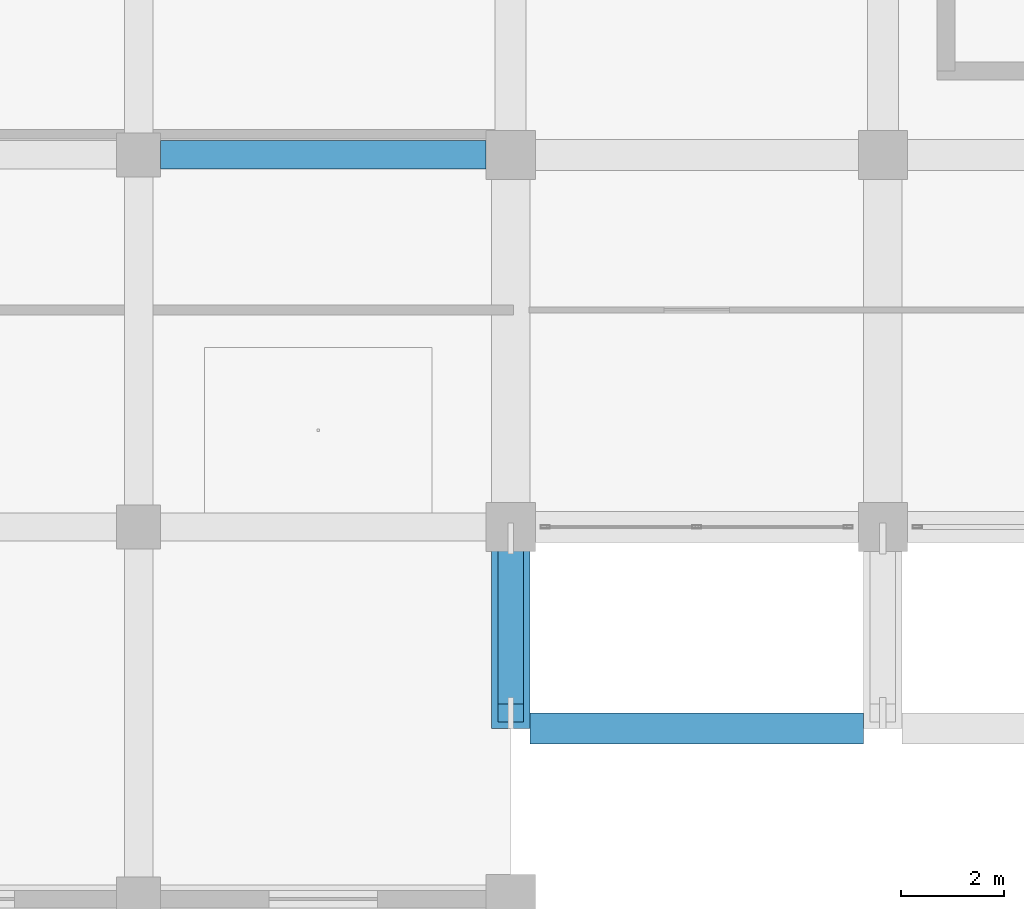
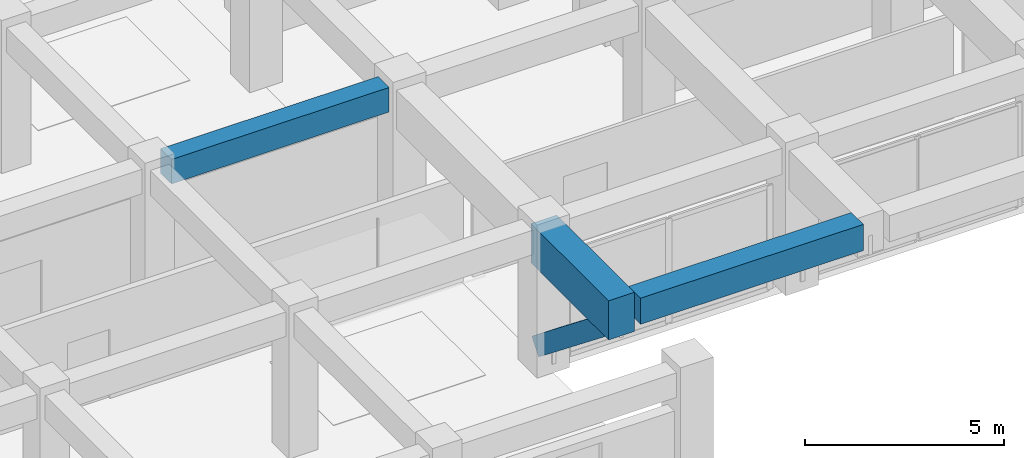
# One storey, part 2 of 54: 3 beams, 1 member.
"""IFC4 building model written with IfcOpenShell, lengths in metres."""

from ifc_helpers import new_model, si_unit, direction, frame, origin, origin_2d, place, context, subcontext, project, spatial, rectangle, extrude, material, material_profile, profile_set, type_object, element, save


model = new_model("IFC4")

# Units and contexts
model_context = context("Model", 3, precision=1e-05, world=origin(), true_north=direction((0.0, 1.0)))
body_context = subcontext(model_context, "Body", "Model", "MODEL_VIEW")
ifc_project = project(units=[si_unit("LENGTHUNIT", "METRE"), si_unit("AREAUNIT", "SQUARE_METRE"), si_unit("VOLUMEUNIT", "CUBIC_METRE"), si_unit("PLANEANGLEUNIT", "RADIAN"), si_unit("MASSUNIT", "GRAM", prefix="KILO")], contexts=[model_context])

# Site, building, storey
site_placement = place(None, origin())
site = spatial("IfcSite", under=ifc_project, at=site_placement, CompositionType="ELEMENT")
building_placement = place(site_placement, origin())
building = spatial("IfcBuilding", under=site, at=building_placement, Name="Kazehaya Institute of Natural Sciences", CompositionType="ELEMENT")
storey_placement = place(building_placement, frame((0.0, 0.0, 10.43994140625)))
storey = spatial("IfcBuildingStorey", under=building, at=storey_placement, Name="L02", CompositionType="ELEMENT", Elevation=10.43994140625)

# Beams
ifc_material_1 = material(Name="Concrete Fc36", Category="concrete")
ifc_material_profile_1 = material_profile(ifc_material_1, rectangle(XDim=0.550048828125, YDim=0.75, at=origin_2d()), Name="RC-550x750")
ifc_profile_set_1 = profile_set([ifc_material_profile_1], Name="Concrete Fc36")
beam_type_1 = type_object("IfcBeamType", Name="BM-G-550x750", PredefinedType="BEAM", material=ifc_profile_set_1)
beam_1_placement = place(storey_placement, frame((47.824951171875, 21.199951171875, 4.03515625), z_axis=(1.0, 0.0, 0.0), x_axis=(0.0, 1.0, 0.0)))
element("IfcBeam", 1, at=beam_1_placement, inside=storey, type_object=beam_type_1, Name="L02 primary X girder BMX-L02-474-212", PredefinedType="BEAM", context=body_context, shape_type="SweptSolid", body=[
    extrude(rectangle(XDim=0.550048828125, YDim=0.75, at=origin_2d()), origin(), (0.0, 0.0, 1.0), 6.300048828125),
])
ifc_material_profile_2 = material_profile(ifc_material_1, rectangle(XDim=0.60009765625, YDim=0.800048828125, at=origin_2d()), Name="RC-600x800")
ifc_profile_set_2 = profile_set([ifc_material_profile_2], Name="Concrete Fc36")
beam_type_2 = type_object("IfcBeamType", Name="BM-G-600x800", PredefinedType="BEAM", material=ifc_profile_set_2)
beam_2_placement = place(storey_placement, frame((54.97509765625, 10.10009765625, 4.010009765625), z_axis=(1.0, 0.0, 0.0), x_axis=(0.0, 1.0, 0.0)))
element("IfcBeam", 2, at=beam_2_placement, inside=storey, type_object=beam_type_2, Name="L02 primary X girder BMX-L02-546-101", PredefinedType="BEAM", context=body_context, shape_type="SweptSolid", body=[
    extrude(rectangle(XDim=0.60009765625, YDim=0.800048828125, at=origin_2d()), origin(), (0.0, 0.0, 1.0), 6.449951171875),
])
ifc_material_2 = material(Name="Concrete Fc42", Category="concrete")
ifc_material_profile_3 = material_profile(ifc_material_2, rectangle(XDim=0.75, YDim=1.199951171875, at=origin_2d()), Name="RC-750x1200")
ifc_profile_set_3 = profile_set([ifc_material_profile_3], Name="Concrete Fc42")
beam_type_3 = type_object("IfcBeamType", Name="BM-TG-750x1200", PredefinedType="BEAM", material=ifc_profile_set_3)
beam_3_placement = place(storey_placement, frame((54.60009765625, 10.10009765625, 3.81005859375), z_axis=(0.0, 1.0, 0.0), x_axis=(-1.0, 0.0, 0.0)))
element("IfcBeam", 3, at=beam_3_placement, inside=storey, type_object=beam_type_3, Name="L02 cantilever transfer girder 1196", PredefinedType="BEAM", context=body_context, shape_type="SweptSolid", body=[
    extrude(rectangle(XDim=0.75, YDim=1.199951171875, at=origin_2d()), origin(), (0.0, 0.0, 1.0), 3.89990234375),
])

# Member
ifc_material_profile_4 = material_profile(ifc_material_2, rectangle(XDim=0.5, YDim=0.550048828125, at=origin_2d()), Name="RC-500x550")
ifc_profile_set_4 = profile_set([ifc_material_profile_4], Name="Concrete Fc42")
member_type = type_object("IfcMemberType", Name="MEM-STRUT-RC500", PredefinedType="BRACE", material=ifc_profile_set_4)
member_placement = place(storey_placement, frame((54.60009765625, 14.0, 0.60009765625), z_axis=(0.0, -0.783008919264, 0.622010476079), x_axis=(1.0, 0.0, 0.0)))
element("IfcMember", 4, at=member_placement, inside=storey, type_object=member_type, Name="L02 raked cantilever strut 001", PredefinedType="BRACE", context=body_context, shape_type="SweptSolid", body=[
    extrude(rectangle(XDim=0.5, YDim=0.550048828125, at=origin_2d()), origin(), (0.0, 0.0, 1.0), 4.59765625),
])

save(model, "model.ifc")
